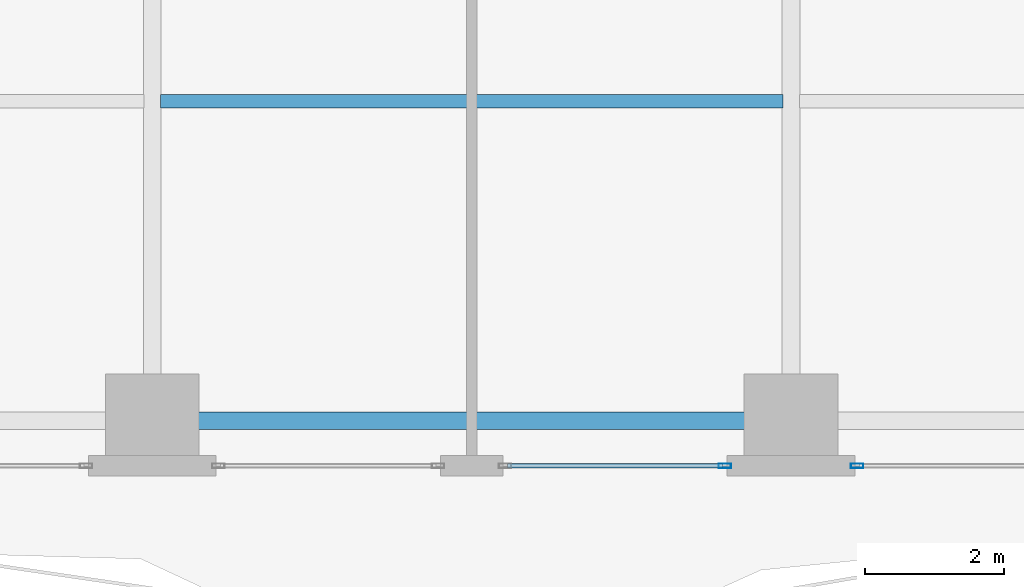
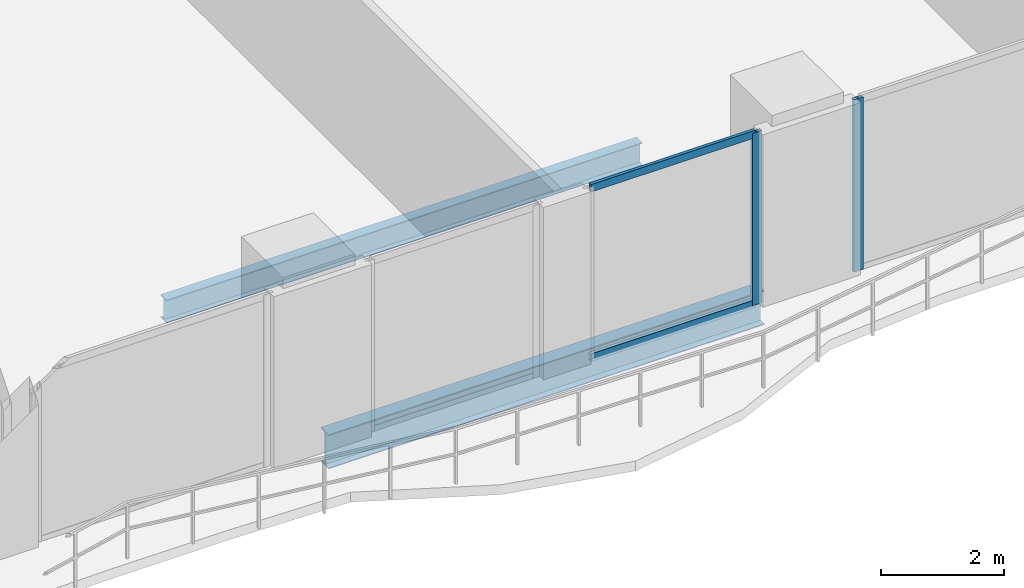
# One storey, part 5 of 30: 4 members, 2 beams, 2 elements without a shape of their own.
"""IFC4 building model written with IfcOpenShell, lengths in metres."""

from ifc_helpers import new_model, si_unit, direction, frame, origin, origin_2d, place, context, subcontext, project, spatial, hollow_rectangle, i_section, extrude, material, layer, layer_set, material_profile, profile_set, type_object, element, aggregate, save


model = new_model("IFC4")

# Units and contexts
model_context = context("Model", 3, precision=1e-05, world=origin(), true_north=direction((0.0, 1.0)))
body_context = subcontext(model_context, "Body", "Model", "MODEL_VIEW")
ifc_project = project(units=[si_unit("LENGTHUNIT", "METRE"), si_unit("AREAUNIT", "SQUARE_METRE"), si_unit("VOLUMEUNIT", "CUBIC_METRE"), si_unit("PLANEANGLEUNIT", "RADIAN"), si_unit("MASSUNIT", "GRAM", prefix="KILO")], contexts=[model_context])

# Site, building, storey
site_placement = place(None, origin())
site = spatial("IfcSite", under=ifc_project, at=site_placement, CompositionType="ELEMENT")
building_placement = place(site_placement, origin())
building = spatial("IfcBuilding", under=site, at=building_placement, Name="Zuhayl Quay Hotel", CompositionType="ELEMENT")
storey_placement = place(building_placement, frame((0.0, 0.0, 128.5)))
storey = spatial("IfcBuildingStorey", under=building, at=storey_placement, Name="L32", CompositionType="ELEMENT", Elevation=128.5)

# Beams
ifc_material_1 = material(Name="Steel ASTM A992 Grade 50", Category="steel")
ifc_material_profile_1 = material_profile(ifc_material_1, i_section(OverallWidth=0.25390625, OverallDepth=0.68310546875, WebThickness=0.012451171875, FlangeThickness=0.018798828125, at=origin_2d()), Name="W27X94")
ifc_profile_set_1 = profile_set([ifc_material_profile_1], Name="Steel ASTM A992 Grade 50")
beam_type_1 = type_object("IfcBeamType", Name="BM_B2_W27X94", PredefinedType="BEAM", material=ifc_profile_set_1)
beam_1_placement = place(storey_placement, frame((-4.10009765625, -14.75, -0.5615234375), z_axis=(1.0, 0.0, 0.0), x_axis=(0.0, 1.0, 0.0)))
element("IfcBeam", 1, at=beam_1_placement, inside=storey, type_object=beam_type_1, Name="L32 Floor Beam RG_L32_02", PredefinedType="BEAM", context=body_context, shape_type="SweptSolid", body=[
    extrude(i_section(OverallWidth=0.25390625, OverallDepth=0.68310546875, WebThickness=0.012451171875, FlangeThickness=0.018798828125, at=origin_2d()), origin(), (0.0, 0.0, 1.0), 8.2001953125),
])
ifc_material_profile_2 = material_profile(ifc_material_1, i_section(OverallWidth=0.18994140625, OverallDepth=0.45703125, WebThickness=0.009033203125, FlangeThickness=0.014404296875, at=origin_2d()), Name="W18X50")
ifc_profile_set_2 = profile_set([ifc_material_profile_2], Name="Steel ASTM A992 Grade 50")
beam_type_2 = type_object("IfcBeamType", Name="BM_J2_W18X50", PredefinedType="JOIST", material=ifc_profile_set_2)
beam_2_placement = place(storey_placement, frame((-4.48095703125, -10.14990234375, -0.448486328125), z_axis=(1.0, 0.0, 0.0), x_axis=(0.0, 1.0, 0.0)))
element("IfcBeam", 2, at=beam_2_placement, inside=storey, type_object=beam_type_2, Name="L32 Floor Beam FJ_L32_5_2", PredefinedType="JOIST", context=body_context, shape_type="SweptSolid", body=[
    extrude(i_section(OverallWidth=0.18994140625, OverallDepth=0.45703125, WebThickness=0.009033203125, FlangeThickness=0.014404296875, at=origin_2d()), origin(), (0.0, 0.0, 1.0), 8.9619140625),
])

# Curtain wall, member
ifc_material_2 = material(Name="Anodised Aluminium 6063-T6", Category="aluminium")
ifc_layer = layer(ifc_material_2, 0.179931640625, Name="Anodised Aluminium 6063-T6", Category="aluminium")
ifc_layer_set = layer_set([ifc_layer], Name="Anodised Aluminium 6063-T6")
curtain_wall_type = type_object("IfcCurtainWallType", Name="CW_SYS_Z2", PredefinedType="USERDEFINED", material=ifc_layer_set)
curtain_wall_1_placement = place(storey_placement, origin())
curtain_wall_1 = element("IfcCurtainWall", 3, at=curtain_wall_1_placement, inside=storey, type_object=curtain_wall_type, Name="L32 Curtain Wall ENV_L32_S_CW2", ObjectType="UNITISED CURTAIN WALL", PredefinedType="USERDEFINED")
ifc_material_3 = material(Name="Black-anodised aluminium 6063-T6", Category="aluminium")
ifc_material_profile_3 = material_profile(ifc_material_3, hollow_rectangle(XDim=0.06494140625, YDim=0.179931640625, WallThickness=0.00341796875, at=origin_2d()), Name="ALU180X65")
ifc_profile_set_3 = profile_set([ifc_material_profile_3], Name="Black-anodised aluminium 6063-T6")
member_type_1 = type_object("IfcMemberType", Name="MB_CW_MUL_180", PredefinedType="MULLION", material=ifc_profile_set_3)
member_1_placement = place(storey_placement, frame((5.552490234375, -15.39990234375, 0.0), z_axis=(0.0, 0.0, 1.0), x_axis=(0.0, -1.0, 0.0)))
member_1 = element("IfcMember", 4, at=member_1_placement, type_object=member_type_1, Name="CW-Z2 mullion 2", PredefinedType="MULLION", context=body_context, shape_type="SweptSolid", body=[
    extrude(hollow_rectangle(XDim=0.06494140625, YDim=0.179931640625, WallThickness=0.00341796875, at=origin_2d()), origin(), (0.0, 0.0, 1.0), 3.429931640625),
])
aggregate(curtain_wall_1, [member_1])

# Curtain wall, members
curtain_wall_2_placement = place(storey_placement, origin())
curtain_wall_2 = element("IfcCurtainWall", 5, at=curtain_wall_2_placement, inside=storey, type_object=curtain_wall_type, Name="L32 Curtain Wall ENV_L32_S_CW3", ObjectType="UNITISED CURTAIN WALL", PredefinedType="USERDEFINED")
member_2_placement = place(storey_placement, frame((3.6474609375, -15.39990234375, 0.0), z_axis=(0.0, 0.0, 1.0), x_axis=(0.0, -1.0, 0.0)))
member_2 = element("IfcMember", 6, at=member_2_placement, type_object=member_type_1, Name="CW-Z2 mullion 1", PredefinedType="MULLION", context=body_context, shape_type="SweptSolid", body=[
    extrude(hollow_rectangle(XDim=0.06494140625, YDim=0.179931640625, WallThickness=0.00341796875, at=origin_2d()), origin(), (0.0, 0.0, 1.0), 3.429931640625),
])
ifc_material_profile_4 = material_profile(ifc_material_3, hollow_rectangle(XDim=0.06005859375, YDim=0.14990234375, WallThickness=0.00341796875, at=origin_2d()), Name="ALU150X60")
ifc_profile_set_4 = profile_set([ifc_material_profile_4], Name="Black-anodised aluminium 6063-T6")
member_type_2 = type_object("IfcMemberType", Name="MB_CW_TRN_150", PredefinedType="USERDEFINED", material=ifc_profile_set_4)
member_3_placement = place(storey_placement, frame((3.614990234375, -15.39990234375, 0.030029296875), z_axis=(-1.0, 0.0, 0.0), x_axis=(0.0, -1.0, 0.0)))
member_3 = element("IfcMember", 7, at=member_3_placement, type_object=member_type_2, Name="CW-Z2 transom 1.1", ObjectType="TRANSOM", PredefinedType="USERDEFINED", context=body_context, shape_type="SweptSolid", body=[
    extrude(hollow_rectangle(XDim=0.06005859375, YDim=0.14990234375, WallThickness=0.00341796875, at=origin_2d()), origin(), (0.0, 0.0, 1.0), 3.10009765625),
])
member_4_placement = place(storey_placement, frame((3.614990234375, -15.39990234375, 3.39990234375), z_axis=(-1.0, 0.0, 0.0), x_axis=(0.0, -1.0, 0.0)))
member_4 = element("IfcMember", 8, at=member_4_placement, type_object=member_type_2, Name="CW-Z2 transom 1.2", ObjectType="TRANSOM", PredefinedType="USERDEFINED", context=body_context, shape_type="SweptSolid", body=[
    extrude(hollow_rectangle(XDim=0.06005859375, YDim=0.14990234375, WallThickness=0.00341796875, at=origin_2d()), origin(), (0.0, 0.0, 1.0), 3.10009765625),
])
aggregate(curtain_wall_2, [member_2, member_3, member_4])

save(model, "model.ifc")
